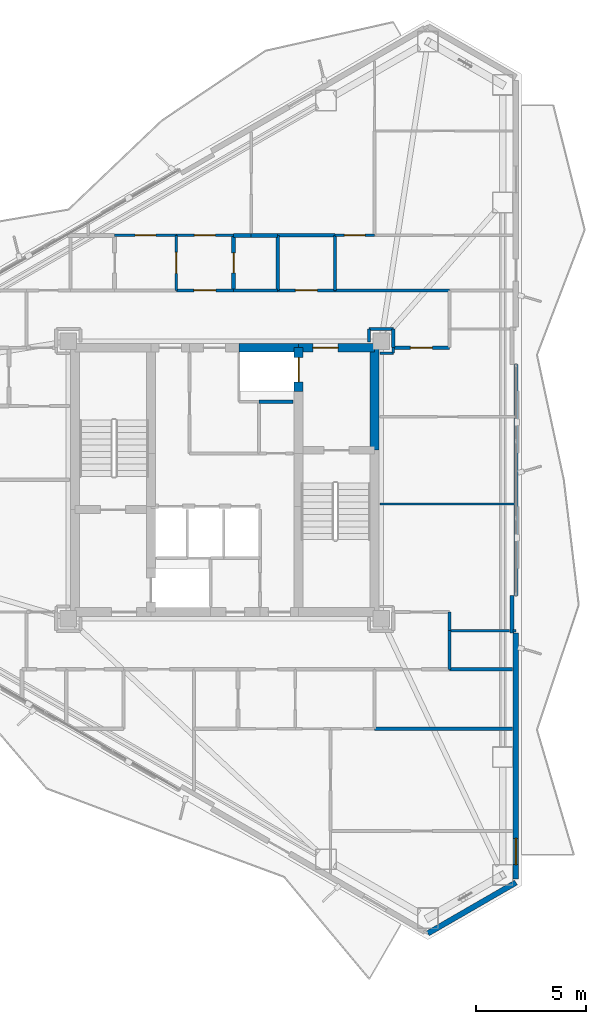
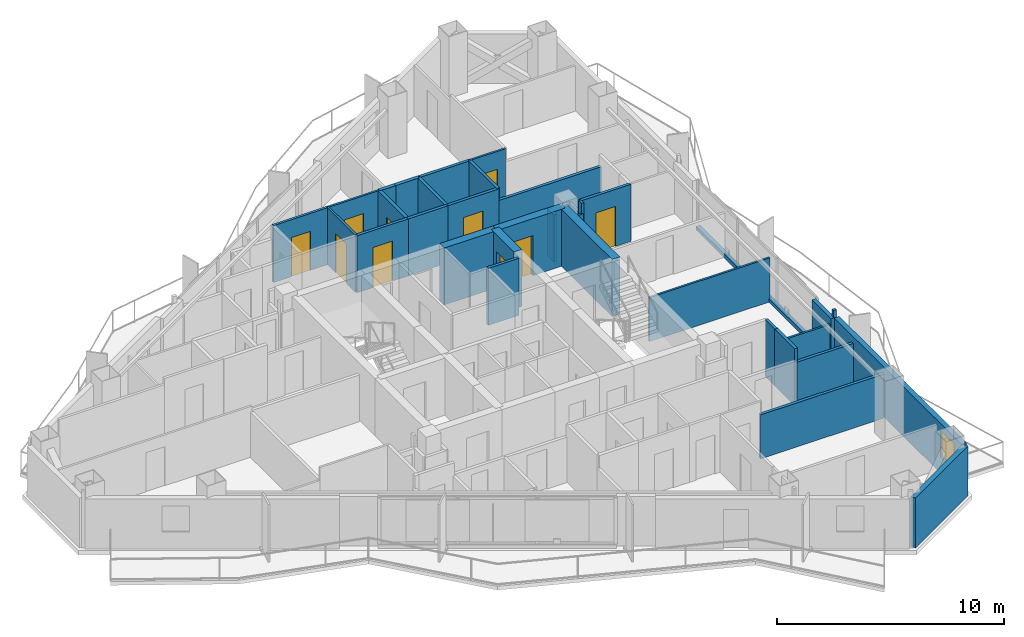
# One storey, part 15 of 18: 36 walls, 10 doors, 1 window, 11 openings.
"""IFC4 building model written with IfcOpenShell, lengths in metres."""

import ifcopenshell
import ifcopenshell.guid

model = None  # the IFC model being written
_history = None  # IfcOwnerHistory: only IFC2X3 demands one
_inside = {}  # id of a spatial element -> (the spatial element, [elements in it])
_under = {}  # id of a project, library or spatial element -> (it, [spatial elements below it])
_declared = {}  # id of a project -> (the project, [libraries it declares])
_typed = {}  # id of a type object -> (the type object, [elements of that type])
_made_of = {}  # id of a material, layer set ... -> (it, [elements and type objects made of it])


def new_model(schema):
    """Start an empty IFC model of exactly this schema.

    Asked for "IFC4X3", IfcOpenShell would pick the latest addendum, in which some entities
    have other attributes; the version numbers below select the first issue.
    IFC2X3 requires an IfcOwnerHistory on every rooted entity: one is made here for all.
    """
    global model, _history
    if schema == "IFC4X3":
        model = ifcopenshell.file(schema_version=(4, 3, 0, 0))
    else:
        model = ifcopenshell.file(schema=schema)
    _inside.clear()
    _under.clear()
    _declared.clear()
    _typed.clear()
    _made_of.clear()
    _history = None
    if model.schema == "IFC2X3":
        org = make("IfcOrganization", Name="unknown")
        user = make(
            "IfcPersonAndOrganization",
            ThePerson=make("IfcPerson", FamilyName="unknown"),
            TheOrganization=org,
        )
        app = make(
            "IfcApplication",
            ApplicationDeveloper=org,
            Version="unknown",
            ApplicationFullName="unknown",
            ApplicationIdentifier="unknown",
        )
        _history = make(
            "IfcOwnerHistory",
            OwningUser=user,
            OwningApplication=app,
            ChangeAction="ADDED",
            CreationDate=0,
        )
    return model


def make(cls, **values):
    """One entity of the class cls with the attributes given. An attribute that is None is left unset."""
    return model.create_entity(
        cls, **{name: value for name, value in values.items() if value is not None}
    )


def rooted(cls, **values):
    """An entity with a GlobalId (a new one), such as an element, a storey or a relation."""
    return make(cls, GlobalId=ifcopenshell.guid.new(), OwnerHistory=_history, **values)


def si_unit(unit_type, name, prefix=None):
    """IfcSIUnit, for example si_unit("LENGTHUNIT", "METRE", prefix="MILLI")."""
    return make("IfcSIUnit", UnitType=unit_type, Prefix=prefix, Name=name)


def assignment(units):
    """IfcUnitAssignment: the units of a project."""
    return None if units is None else make("IfcUnitAssignment", Units=units)


def point(xyz):
    """IfcCartesianPoint."""
    return None if xyz is None else make("IfcCartesianPoint", Coordinates=xyz)


def direction(xyz):
    """IfcDirection."""
    return None if xyz is None else make("IfcDirection", DirectionRatios=xyz)


def frame(location, z_axis=None, x_axis=None):
    """IfcAxis2Placement3D, a coordinate frame: its origin and axes. An axis left out is left unset."""
    return make(
        "IfcAxis2Placement3D",
        Location=point(location),
        Axis=direction(z_axis),
        RefDirection=direction(x_axis),
    )


def frame_2d(location, x_axis=None):
    """IfcAxis2Placement2D, a coordinate frame in the plane: its origin and x axis."""
    return make(
        "IfcAxis2Placement2D", Location=point(location), RefDirection=direction(x_axis)
    )


def origin():
    """The frame at (0, 0, 0) with its axes left unset."""
    return frame((0.0, 0.0, 0.0))


def place(relative_to, where):
    """IfcLocalPlacement: puts the frame where relative to a parent placement (None: the world)."""
    return make(
        "IfcLocalPlacement", PlacementRelTo=relative_to, RelativePlacement=where
    )


def context(
    kind, dimensions, precision=None, world=None, true_north=None, identifier=None
):
    """IfcGeometricRepresentationContext, for example the 3D "Model" context."""
    return make(
        "IfcGeometricRepresentationContext",
        ContextIdentifier=identifier,
        ContextType=kind,
        CoordinateSpaceDimension=dimensions,
        Precision=precision,
        WorldCoordinateSystem=world,
        TrueNorth=true_north,
    )


def subcontext(parent, identifier, kind, view, scale=None):
    """IfcGeometricRepresentationSubContext, for example "Body" below "Model"."""
    return make(
        "IfcGeometricRepresentationSubContext",
        ContextIdentifier=identifier,
        ContextType=kind,
        ParentContext=parent,
        TargetScale=scale,
        TargetView=view,
    )


def project(units=None, contexts=None):
    """IfcProject with its units and contexts."""
    return rooted(
        "IfcProject",
        Name="project",
        RepresentationContexts=contexts,
        UnitsInContext=assignment(units),
    )


def spatial(cls, under=None, at=None, **own):
    """A site, building, storey or space (cls), placed at a placement, below another one or the project."""
    s = rooted(cls, ObjectPlacement=at, **own)
    if under is not None:
        _under.setdefault(under.id(), (under, []))[1].append(s)
    return s


def profile(cls, at=None, kind="AREA", **sizes):
    """A parametric profile (cls). Its sizes go by their IFC names, for example OverallWidth=200.0."""
    return make(cls, ProfileType=kind, Position=at, **sizes)


def rectangle(**sizes):
    """IfcRectangleProfileDef."""
    return profile("IfcRectangleProfileDef", **sizes)


def extrude(swept, where, along, depth):
    """IfcExtrudedAreaSolid: the profile swept, set in the frame where, extruded along a direction by depth."""
    return make(
        "IfcExtrudedAreaSolid",
        SweptArea=swept,
        Position=where,
        ExtrudedDirection=direction(along),
        Depth=depth,
    )


def shape(context_of_items, identifier, shape_type, items):
    """IfcShapeRepresentation: the items that make up one representation, for example the "Body"."""
    return make(
        "IfcShapeRepresentation",
        ContextOfItems=context_of_items,
        RepresentationIdentifier=identifier,
        RepresentationType=shape_type,
        Items=items,
    )


def material(Name=None, Category=None):
    """IfcMaterial."""
    return make("IfcMaterial", Name=Name, Category=Category)


def layer(
    of_material, thickness, ventilated=None, Name=None, Category=None, Priority=None
):
    """IfcMaterialLayer: one layer of a wall or slab, of a material (None: an air gap)."""
    return make(
        "IfcMaterialLayer",
        Material=of_material,
        LayerThickness=thickness,
        IsVentilated=ventilated,
        Name=Name,
        Category=Category,
        Priority=Priority,
    )


def layer_set(layers, Name=None):
    """IfcMaterialLayerSet."""
    return make("IfcMaterialLayerSet", MaterialLayers=layers, LayerSetName=Name)


def made_of(thing, what):
    """Note that an element or type object is made of a material, layer set ...; save() writes the relation."""
    if what is not None:
        _made_of.setdefault(what.id(), (what, []))[1].append(thing)
    return thing


def type_object(cls, material=None, **own):
    """A type object (cls), such as IfcWallType, which elements share."""
    return made_of(rooted(cls, **own), material)


def element(
    cls,
    number,
    at=None,
    inside=None,
    cuts=None,
    type_object=None,
    material=None,
    context=None,
    identifier="Body",
    shape_type=None,
    held_by="IfcProductDefinitionShape",
    body=None,
    shapes=None,
    **own,
):
    """One element of the class cls, such as IfcWall. Its Tag is "e" and its number.

    at: its placement. inside: the storey or other place that contains it. cuts: it is an
    opening in that element (IfcRelVoidsElement). A single representation is given by context,
    identifier, shape_type and body (its items); several are given by shapes. held_by: the class
    of the entity that holds the representations. save() writes the other relations.
    """
    e = rooted(cls, Tag="e%d" % number, ObjectPlacement=at, **own)
    if body is not None:
        shapes = [shape(context, identifier, shape_type, body)]
    if shapes is not None:
        e.Representation = make(held_by, Representations=shapes)
    if inside is not None:
        _inside.setdefault(inside.id(), (inside, []))[1].append(e)
    if cuts is not None:
        rooted(
            "IfcRelVoidsElement", RelatingBuildingElement=cuts, RelatedOpeningElement=e
        )
    if type_object is not None:
        _typed.setdefault(type_object.id(), (type_object, []))[1].append(e)
    return made_of(e, material)


def fill(opening, filler):
    """IfcRelFillsElement: the door or window that sits in an opening."""
    return rooted(
        "IfcRelFillsElement",
        RelatingOpeningElement=opening,
        RelatedBuildingElement=filler,
    )


def aggregate(whole, parts):
    """IfcRelAggregates: a whole, such as a stair, and the parts it consists of."""
    return rooted("IfcRelAggregates", RelatingObject=whole, RelatedObjects=parts)


def save(model, path):
    """Write the relations noted so far, then the file.

    IfcRelAggregates (storeys below a building ...), IfcRelContainedInSpatialStructure (elements
    in a storey), IfcRelDefinesByType, IfcRelAssociatesMaterial and IfcRelDeclares: one each for
    every whole, place, type object, material and project.
    """
    for whole, parts in _under.values():
        aggregate(whole, parts)
    for where, things in _inside.values():
        rooted(
            "IfcRelContainedInSpatialStructure",
            RelatedElements=things,
            RelatingStructure=where,
        )
    for kind, things in _typed.values():
        rooted("IfcRelDefinesByType", RelatedObjects=things, RelatingType=kind)
    for what, things in _made_of.values():
        rooted("IfcRelAssociatesMaterial", RelatedObjects=things, RelatingMaterial=what)
    for by, libraries in _declared.values():
        rooted("IfcRelDeclares", RelatingContext=by, RelatedDefinitions=libraries)
    model.write(path)


model = new_model("IFC4")

# Units and contexts
model_context = context("Model", 3, precision=1e-05, world=origin(), true_north=direction((0.0, 1.0)))
body_context = subcontext(model_context, "Body", "Model", "MODEL_VIEW")
ifc_project = project(units=[si_unit("LENGTHUNIT", "METRE"), si_unit("AREAUNIT", "SQUARE_METRE"), si_unit("VOLUMEUNIT", "CUBIC_METRE"), si_unit("PLANEANGLEUNIT", "RADIAN"), si_unit("MASSUNIT", "GRAM", prefix="KILO")], contexts=[model_context])

# Site, building, storey
site_placement = place(None, origin())
site = spatial("IfcSite", under=ifc_project, at=site_placement, CompositionType="ELEMENT")
building_placement = place(site_placement, origin())
building = spatial("IfcBuilding", under=site, at=building_placement, Name="Mersakhor Tower and Convention Hall", CompositionType="ELEMENT")
storey_placement = place(building_placement, frame((0.0, 0.0, 134.39990234375)))
storey = spatial("IfcBuildingStorey", under=building, at=storey_placement, Name="L37", CompositionType="ELEMENT", Elevation=134.39990234375)

# Wall
ifc_material_1 = material(Name="Precast concrete C40/50", Category="concrete")
ifc_layer_1 = layer(ifc_material_1, 0.25)
ifc_layer_set_1 = layer_set([ifc_layer_1], Name="Precast concrete C40/50")
wall_type_1 = type_object("IfcWallType", Name="WL-EXT-250", PredefinedType="SOLIDWALL", material=ifc_layer_set_1)
wall_1_placement = place(storey_placement, frame((42.21923828125, 8.470947265625, 0.0), z_axis=(0.0, 0.0, 1.0), x_axis=(-0.866035021055, -0.499983342029, 0.0)))
element("IfcWall", 1, at=wall_1_placement, inside=storey, type_object=wall_type_1, Name="L37 Chamfer Braced Spandrel Wall C2", PredefinedType="SOLIDWALL", context=body_context, shape_type="SweptSolid", body=[
    extrude(rectangle(XDim=4.617431640625, YDim=0.25, at=frame_2d((2.30859375, 0.0))), origin(), (0.0, 0.0, 1.0), 2.68017578125),
])

# Wall, opening, window
wall_2_placement = place(storey_placement, frame((42.21923828125, 19.806884765625, 0.0), z_axis=(0.0, 0.0, 1.0), x_axis=(0.0, -1.0, 0.0)))
wall_2 = element("IfcWall", 2, at=wall_2_placement, inside=storey, type_object=wall_type_1, Name="L37 Exterior Facade Wall F2-B3", PredefinedType="SOLIDWALL", context=body_context, shape_type="SweptSolid", body=[
    extrude(rectangle(XDim=11.185791015625, YDim=0.25, at=frame_2d((5.5927734375, 0.0))), origin(), (0.0, 0.0, 1.0), 2.68017578125),
])
opening_1_placement = place(wall_2_placement, frame((9.326904296875, 0.0, 0.89990234375)))
opening_1 = element("IfcOpeningElement", 3, at=opening_1_placement, cuts=wall_2, Name="Opening W-01", PredefinedType="OPENING", context=body_context, shape_type="SweptSolid", body=[
    extrude(rectangle(XDim=1.199951171875, YDim=1.39990234375, at=frame_2d((0.60009765625, 0.699951171875))), frame((0.0, 0.135009765625, 0.0), z_axis=(0.0, -1.0, 0.0), x_axis=(1.0, 0.0, 0.0)), (0.0, 0.0, 1.0), 0.27001953125),
])
ifc_material_2 = material(Name="Dark solar low-E glazed aluminium window", Category="aluminium")
window_type = type_object("IfcWindowType", Name="WN-RES-120x150", PartitioningType="SINGLE_PANEL", PredefinedType="WINDOW", material=ifc_material_2)
window_placement = place(opening_1_placement, origin())
window = element("IfcWindow", 4, at=window_placement, inside=storey, type_object=window_type, Name="L37 Bedroom Facade Window F2-B3-1", OverallHeight=1.39990234375, OverallWidth=1.199951171875, PartitioningType="SINGLE_PANEL", PredefinedType="WINDOW", context=body_context, shape_type="SweptSolid", body=[
    extrude(rectangle(XDim=1.199951171875, YDim=1.39990234375, at=frame_2d((0.60009765625, 0.699951171875))), frame((0.0, 0.030029296875, 0.0), z_axis=(0.0, -1.0, 0.0), x_axis=(1.0, 0.0, 0.0)), (0.0, 0.0, 1.0), 0.06005859375),
])
fill(opening_1, window)

# Walls
ifc_material_3 = material(Name="Precast concrete C40/50", Category="concrete")
ifc_layer_2 = layer(ifc_material_3, 0.199951171875)
ifc_layer_set_2 = layer_set([ifc_layer_2], Name="Precast concrete C40/50")
wall_type_2 = type_object("IfcWallType", Name="WL-PAR-200", PredefinedType="PARAPET", material=ifc_layer_set_2)
wall_3_placement = place(storey_placement, frame((42.21923828125, 31.992919921875, 0.0), z_axis=(0.0, 0.0, 1.0), x_axis=(0.0, -1.0, 0.0)))
element("IfcWall", 5, at=wall_3_placement, inside=storey, type_object=wall_type_2, Name="L37 Curtain Wall Upstand Sill F2-B2", PredefinedType="PARAPET", context=body_context, shape_type="SweptSolid", body=[
    extrude(rectangle(XDim=10.48583984375, YDim=0.199951171875, at=frame_2d((5.242919921875, 0.0))), origin(), (0.0, 0.0, 1.0), 0.2001953125),
])
wall_4_placement = place(storey_placement, frame((42.039306640625, 21.507080078125, 0.0), z_axis=(0.0, 0.0, 1.0), x_axis=(0.0, -1.0, 0.0)))
element("IfcWall", 6, at=wall_4_placement, inside=storey, type_object=wall_type_2, Name="L37 Column Pier Cladding Wall F2-C2", PredefinedType="PARAPET", context=body_context, shape_type="SweptSolid", body=[
    extrude(rectangle(XDim=1.7001953125, YDim=0.199951171875, at=frame_2d((0.85009765625, 0.0))), origin(), (0.0, 0.0, 1.0), 2.68017578125),
])

# Wall, opening, door
ifc_material_4 = material(Name="Moisture-resistant acoustic drywall studwork", Category="other")
ifc_layer_3 = layer(ifc_material_4, 0.175048828125)
ifc_layer_set_3 = layer_set([ifc_layer_3], Name="Moisture-resistant acoustic drywall studwork")
wall_type_3 = type_object("IfcWallType", Name="WL-PLM-175", PredefinedType="PLUMBINGWALL", material=ifc_layer_set_3)
wall_5_placement = place(storey_placement, frame((29.39990234375, 37.85009765625, 0.0), z_axis=(0.0, 0.0, 1.0), x_axis=(0.0, -1.0, 0.0)))
wall_5 = element("IfcWall", 7, at=wall_5_placement, inside=storey, type_object=wall_type_3, Name="L37 Interior Partition Wall P-053", PredefinedType="PLUMBINGWALL", context=body_context, shape_type="SweptSolid", body=[
    extrude(rectangle(XDim=2.5, YDim=0.175048828125, at=frame_2d((1.25, 0.0))), origin(), (0.0, 0.0, 1.0), 3.06005859375),
])
opening_2_placement = place(wall_5_placement, frame((0.800048828125, 0.0, 0.0)))
opening_2 = element("IfcOpeningElement", 8, at=opening_2_placement, cuts=wall_5, Name="Opening WD-01", PredefinedType="OPENING", context=body_context, shape_type="SweptSolid", body=[
    extrude(rectangle(XDim=0.89990234375, YDim=2.10009765625, at=frame_2d((0.449951171875, 1.050048828125))), frame((0.0, 0.097412109375, 0.0), z_axis=(0.0, -1.0, 0.0), x_axis=(1.0, 0.0, 0.0)), (0.0, 0.0, 1.0), 0.195068359375),
])
ifc_material_5 = material(Name="Solid-core hardwood leaf in painted steel frame", Category="steel")
door_type_1 = type_object("IfcDoorType", Name="DR-INT-WET-090x210", OperationType="NOTDEFINED", PredefinedType="DOOR", material=ifc_material_5)
door_1_placement = place(opening_2_placement, origin())
door_1 = element("IfcDoor", 9, at=door_1_placement, inside=storey, type_object=door_type_1, Name="L37 L37 Flat N1 Apartment Hall to L37 Flat N1 En-Suite Shower Room Door", OperationType="SINGLE_SWING_RIGHT", OverallHeight=2.10009765625, OverallWidth=0.89990234375, PredefinedType="DOOR", context=body_context, shape_type="SweptSolid", body=[
    extrude(rectangle(XDim=0.89990234375, YDim=2.10009765625, at=frame_2d((0.449951171875, 1.050048828125))), frame((0.0, 0.02490234375, 0.0), z_axis=(0.0, -1.0, 0.0), x_axis=(1.0, 0.0, 0.0)), (0.0, 0.0, 1.0), 0.050048828125),
])
fill(opening_2, door_1)

# Walls
wall_6_placement = place(storey_placement, frame((29.39990234375, 37.85009765625, 0.0), z_axis=(0.0, 0.0, 1.0), x_axis=(1.0, 0.0, 0.0)))
element("IfcWall", 10, at=wall_6_placement, inside=storey, type_object=wall_type_3, Name="L37 Interior Partition Wall P-068", PredefinedType="PLUMBINGWALL", context=body_context, shape_type="SweptSolid", body=[
    extrude(rectangle(XDim=0.800048828125, YDim=0.175048828125, at=frame_2d((0.39990234375, 0.0))), origin(), (0.0, 0.0, 1.0), 3.06005859375),
])
wall_7_placement = place(storey_placement, frame((30.199951171875, 37.85009765625, 0.0), z_axis=(0.0, 0.0, 1.0), x_axis=(1.0, 0.0, 0.0)))
element("IfcWall", 11, at=wall_7_placement, inside=storey, type_object=wall_type_3, Name="L37 Interior Partition Wall P-069", PredefinedType="PLUMBINGWALL", context=body_context, shape_type="SweptSolid", body=[
    extrude(rectangle(XDim=1.199951171875, YDim=0.175048828125, at=frame_2d((0.60009765625, 0.0))), origin(), (0.0, 0.0, 1.0), 3.06005859375),
])

# Wall, opening, door
ifc_material_6 = material(Name="Lightweight gypsum partition", Category="other")
ifc_layer_4 = layer(ifc_material_6, 0.10009765625)
ifc_layer_set_4 = layer_set([ifc_layer_4], Name="Lightweight gypsum partition")
wall_type_4 = type_object("IfcWallType", Name="WL-PRT-100", PredefinedType="PARTITIONING", material=ifc_layer_set_4)
wall_8_placement = place(storey_placement, frame((26.800048828125, 37.85009765625, 0.0), z_axis=(0.0, 0.0, 1.0), x_axis=(1.0, 0.0, 0.0)))
wall_8 = element("IfcWall", 12, at=wall_8_placement, inside=storey, type_object=wall_type_4, Name="L37 Interior Partition Wall P-052", PredefinedType="PARTITIONING", context=body_context, shape_type="SweptSolid", body=[
    extrude(rectangle(XDim=2.599853515625, YDim=0.10009765625, at=frame_2d((1.2998046875, 0.0))), origin(), (0.0, 0.0, 1.0), 3.06005859375),
])
opening_3_placement = place(wall_8_placement, frame((0.824951171875, 0.0, 0.0)))
opening_3 = element("IfcOpeningElement", 13, at=opening_3_placement, cuts=wall_8, Name="Opening RD-01", PredefinedType="OPENING", context=body_context, shape_type="SweptSolid", body=[
    extrude(rectangle(XDim=0.949951171875, YDim=2.10009765625, at=frame_2d((0.47509765625, 1.050048828125))), frame((0.0, 0.06005859375, 0.0), z_axis=(0.0, -1.0, 0.0), x_axis=(1.0, 0.0, 0.0)), (0.0, 0.0, 1.0), 0.1201171875),
])
ifc_material_7 = material(Name="Solid-core hardwood leaf in painted steel frame", Category="steel")
door_type_2 = type_object("IfcDoorType", Name="DR-INT-RM-095x210", OperationType="NOTDEFINED", PredefinedType="DOOR", material=ifc_material_7)
door_2_placement = place(opening_3_placement, origin())
door_2 = element("IfcDoor", 14, at=door_2_placement, inside=storey, type_object=door_type_2, Name="L37 L37 Flat N1 Apartment Hall to L37 Flat N1 Living and Dining Room Door", OperationType="SINGLE_SWING_LEFT", OverallHeight=2.10009765625, OverallWidth=0.949951171875, PredefinedType="DOOR", context=body_context, shape_type="SweptSolid", body=[
    extrude(rectangle(XDim=0.949951171875, YDim=2.10009765625, at=frame_2d((0.47509765625, 1.050048828125))), frame((0.0, 0.02490234375, 0.0), z_axis=(0.0, -1.0, 0.0), x_axis=(1.0, 0.0, 0.0)), (0.0, 0.0, 1.0), 0.050048828125),
])
fill(opening_3, door_2)

wall_9_placement = place(storey_placement, frame((26.800048828125, 35.35009765625, 0.0), z_axis=(0.0, 0.0, 1.0), x_axis=(0.0, 1.0, 0.0)))
wall_9 = element("IfcWall", 15, at=wall_9_placement, inside=storey, type_object=wall_type_4, Name="L37 Interior Partition Wall P-054", PredefinedType="PARTITIONING", context=body_context, shape_type="SweptSolid", body=[
    extrude(rectangle(XDim=2.5, YDim=0.10009765625, at=frame_2d((1.25, 0.0))), origin(), (0.0, 0.0, 1.0), 3.06005859375),
])
opening_4_placement = place(wall_9_placement, frame((0.77490234375, 0.0, 0.0)))
opening_4 = element("IfcOpeningElement", 16, at=opening_4_placement, cuts=wall_9, Name="Opening RD-01", PredefinedType="OPENING", context=body_context, shape_type="SweptSolid", body=[
    extrude(rectangle(XDim=0.949951171875, YDim=2.10009765625, at=frame_2d((0.47509765625, 1.050048828125))), frame((0.0, 0.06005859375, 0.0), z_axis=(0.0, -1.0, 0.0), x_axis=(1.0, 0.0, 0.0)), (0.0, 0.0, 1.0), 0.1201171875),
])
door_3_placement = place(opening_4_placement, origin())
door_3 = element("IfcDoor", 17, at=door_3_placement, inside=storey, type_object=door_type_2, Name="L37 L37 Flat N1 Apartment Hall to L37 Flat N1 Kitchen Door", OperationType="SINGLE_SWING_LEFT", OverallHeight=2.10009765625, OverallWidth=0.949951171875, PredefinedType="DOOR", context=body_context, shape_type="SweptSolid", body=[
    extrude(rectangle(XDim=0.949951171875, YDim=2.10009765625, at=frame_2d((0.47509765625, 1.050048828125))), frame((0.0, 0.02490234375, 0.0), z_axis=(0.0, -1.0, 0.0), x_axis=(1.0, 0.0, 0.0)), (0.0, 0.0, 1.0), 0.050048828125),
])
fill(opening_4, door_3)

# Walls
wall_10_placement = place(storey_placement, frame((42.18115234375, 25.64990234375, 0.0), z_axis=(0.0, 0.0, 1.0), x_axis=(-1.0, 0.0, 0.0)))
element("IfcWall", 18, at=wall_10_placement, inside=storey, type_object=wall_type_4, Name="L37 Interior Partition Wall P-098", PredefinedType="PARTITIONING", context=body_context, shape_type="SweptSolid", body=[
    extrude(rectangle(XDim=6.131103515625, YDim=0.10009765625, at=frame_2d((3.0654296875, 0.0))), origin(), (0.0, 0.0, 1.0), 2.364990234375),
])
wall_11_placement = place(storey_placement, frame((36.050048828125, 32.5, 0.0), z_axis=(0.0, 0.0, 1.0), x_axis=(1.0, 0.0, 0.0)))
element("IfcWall", 19, at=wall_11_placement, inside=storey, type_object=wall_type_4, Name="L37 Interior Partition Wall P-102", PredefinedType="PARTITIONING", context=body_context, shape_type="SweptSolid", body=[
    extrude(rectangle(XDim=0.599853515625, YDim=0.10009765625, at=frame_2d((0.2998046875, 0.0))), origin(), (0.0, 0.0, 1.0), 2.50830078125),
])
wall_12_placement = place(storey_placement, frame((41.915283203125, 19.89990234375, 0.0), z_axis=(0.0, 0.0, 1.0), x_axis=(-1.0, 0.0, 0.0)))
element("IfcWall", 20, at=wall_12_placement, inside=storey, type_object=wall_type_4, Name="L37 Interior Partition Wall P-106", PredefinedType="PARTITIONING", context=body_context, shape_type="SweptSolid", body=[
    extrude(rectangle(XDim=2.71533203125, YDim=0.10009765625, at=frame_2d((1.357666015625, 0.0))), origin(), (0.0, 0.0, 1.0), 2.364990234375),
])

# Wall, opening, door
wall_13_placement = place(storey_placement, frame((34.0, 37.85009765625, 0.0), z_axis=(0.0, 0.0, 1.0), x_axis=(1.0, 0.0, 0.0)))
wall_13 = element("IfcWall", 21, at=wall_13_placement, inside=storey, type_object=wall_type_4, Name="L37 Interior Partition Wall P-108", PredefinedType="PARTITIONING", context=body_context, shape_type="SweptSolid", body=[
    extrude(rectangle(XDim=1.800048828125, YDim=0.10009765625, at=frame_2d((0.89990234375, 0.0))), origin(), (0.0, 0.0, 1.0), 3.06005859375),
])
opening_5_placement = place(wall_13_placement, frame((0.425048828125, 0.0, 0.0)))
opening_5 = element("IfcOpeningElement", 22, at=opening_5_placement, cuts=wall_13, Name="Opening RD-01", PredefinedType="OPENING", context=body_context, shape_type="SweptSolid", body=[
    extrude(rectangle(XDim=0.949951171875, YDim=2.10009765625, at=frame_2d((0.47509765625, 1.050048828125))), frame((0.0, 0.06005859375, 0.0), z_axis=(0.0, -1.0, 0.0), x_axis=(1.0, 0.0, 0.0)), (0.0, 0.0, 1.0), 0.1201171875),
])
door_4_placement = place(opening_5_placement, origin())
door_4 = element("IfcDoor", 23, at=door_4_placement, inside=storey, type_object=door_type_2, Name="L37 L37 Flat N1 Study Room to L37 Flat N1 Master Bedroom Door", OperationType="SINGLE_SWING_LEFT", OverallHeight=2.10009765625, OverallWidth=0.949951171875, PredefinedType="DOOR", context=body_context, shape_type="SweptSolid", body=[
    extrude(rectangle(XDim=0.949951171875, YDim=2.10009765625, at=frame_2d((0.47509765625, 1.050048828125))), frame((0.0, 0.02490234375, 0.0), z_axis=(0.0, -1.0, 0.0), x_axis=(1.0, 0.0, 0.0)), (0.0, 0.0, 1.0), 0.050048828125),
])
fill(opening_5, door_4)

ifc_material_8 = material(Name="Gypsum board acoustic partition", Category="other")
ifc_layer_5 = layer(ifc_material_8, 0.125)
ifc_layer_set_5 = layer_set([ifc_layer_5], Name="Gypsum board acoustic partition")
wall_type_5 = type_object("IfcWallType", Name="WL-PRT-125", PredefinedType="PARTITIONING", material=ifc_layer_set_5)
wall_14_placement = place(storey_placement, frame((24.0, 37.85009765625, 0.0), z_axis=(0.0, 0.0, 1.0), x_axis=(1.0, 0.0, 0.0)))
wall_14 = element("IfcWall", 24, at=wall_14_placement, inside=storey, type_object=wall_type_5, Name="L37 Interior Partition Wall P-063", PredefinedType="PARTITIONING", context=body_context, shape_type="SweptSolid", body=[
    extrude(rectangle(XDim=2.800048828125, YDim=0.125, at=frame_2d((1.39990234375, 0.0))), origin(), (0.0, 0.0, 1.0), 3.06005859375),
])
opening_6_placement = place(wall_14_placement, frame((0.925048828125, 0.0, 0.0)))
opening_6 = element("IfcOpeningElement", 25, at=opening_6_placement, cuts=wall_14, Name="Opening RD-01", PredefinedType="OPENING", context=body_context, shape_type="SweptSolid", body=[
    extrude(rectangle(XDim=0.949951171875, YDim=2.10009765625, at=frame_2d((0.47509765625, 1.050048828125))), frame((0.0, 0.072509765625, 0.0), z_axis=(0.0, -1.0, 0.0), x_axis=(1.0, 0.0, 0.0)), (0.0, 0.0, 1.0), 0.14501953125),
])
door_5_placement = place(opening_6_placement, origin())
door_5 = element("IfcDoor", 26, at=door_5_placement, inside=storey, type_object=door_type_2, Name="L37 L37 Flat N1 Kitchen to L37 Flat N1 Living and Dining Room Door", OperationType="SINGLE_SWING_LEFT", OverallHeight=2.10009765625, OverallWidth=0.949951171875, PredefinedType="DOOR", context=body_context, shape_type="SweptSolid", body=[
    extrude(rectangle(XDim=0.949951171875, YDim=2.10009765625, at=frame_2d((0.47509765625, 1.050048828125))), frame((0.0, 0.02490234375, 0.0), z_axis=(0.0, -1.0, 0.0), x_axis=(1.0, 0.0, 0.0)), (0.0, 0.0, 1.0), 0.050048828125),
])
fill(opening_6, door_5)

# Walls
wall_15_placement = place(storey_placement, frame((36.64990234375, 32.5, 0.0), z_axis=(0.0, 0.0, 1.0), x_axis=(0.0, 1.0, 0.0)))
element("IfcWall", 27, at=wall_15_placement, inside=storey, type_object=wall_type_5, Name="L37 Interior Partition Wall P-099", PredefinedType="PARTITIONING", context=body_context, shape_type="SweptSolid", body=[
    extrude(rectangle(XDim=0.25, YDim=0.125, at=frame_2d((0.125, 0.0))), origin(), (0.0, 0.0, 1.0), 3.06005859375),
])
wall_16_placement = place(storey_placement, frame((42.218994140625, 19.89990234375, 0.0), z_axis=(0.0, 0.0, 1.0), x_axis=(-1.0, 0.0, 0.0)))
element("IfcWall", 28, at=wall_16_placement, inside=storey, type_object=wall_type_5, Name="L37 Interior Partition Wall P-105", PredefinedType="PARTITIONING", context=body_context, shape_type="SweptSolid", body=[
    extrude(rectangle(XDim=0.144775390625, YDim=0.125, at=frame_2d((0.072265625, 0.0))), origin(), (0.0, 0.0, 1.0), 3.06005859375),
])
ifc_material_9 = material(Name="Fire-rated gypsum board stud partition", Category="other")
ifc_layer_6 = layer(ifc_material_9, 0.14990234375)
ifc_layer_set_6 = layer_set([ifc_layer_6], Name="Fire-rated gypsum board stud partition")
wall_type_6 = type_object("IfcWallType", Name="WL-PRT-150", PredefinedType="PARTITIONING", material=ifc_layer_set_6)
wall_17_placement = place(storey_placement, frame((32.10009765625, 30.300048828125, 0.0), z_axis=(0.0, 0.0, 1.0), x_axis=(-1.0, 0.0, 0.0)))
element("IfcWall", 29, at=wall_17_placement, inside=storey, type_object=wall_type_6, Name="L37 Interior Partition Wall P-004", PredefinedType="PARTITIONING", context=body_context, shape_type="SweptSolid", body=[
    extrude(rectangle(XDim=1.550048828125, YDim=0.14990234375, at=frame_2d((0.77490234375, 0.0))), origin(), (0.0, 0.0, 1.0), 3.06005859375),
])
wall_18_placement = place(storey_placement, frame((35.550048828125, 33.60009765625, 0.0), z_axis=(0.0, 0.0, 1.0), x_axis=(0.0, -1.0, 0.0)))
element("IfcWall", 30, at=wall_18_placement, inside=storey, type_object=wall_type_6, Name="L37 Interior Partition Wall P-016", PredefinedType="PARTITIONING", context=body_context, shape_type="SweptSolid", body=[
    extrude(rectangle(XDim=0.60009765625, YDim=0.14990234375, at=frame_2d((0.300048828125, 0.0))), origin(), (0.0, 0.0, 1.0), 2.50830078125),
])

# Wall, opening, door
wall_19_placement = place(storey_placement, frame((26.800048828125, 35.35009765625, 0.0), z_axis=(0.0, 0.0, 1.0), x_axis=(1.0, 0.0, 0.0)))
wall_19 = element("IfcWall", 31, at=wall_19_placement, inside=storey, type_object=wall_type_6, Name="L37 Interior Partition Wall P-025", PredefinedType="PARTITIONING", context=body_context, shape_type="SweptSolid", body=[
    extrude(rectangle(XDim=2.599853515625, YDim=0.14990234375, at=frame_2d((1.2998046875, 0.0))), origin(), (0.0, 0.0, 1.0), 3.06005859375),
])
opening_7_placement = place(wall_19_placement, frame((0.800048828125, 0.0, 0.0)))
opening_7 = element("IfcOpeningElement", 32, at=opening_7_placement, cuts=wall_19, Name="Opening FD-01", PredefinedType="OPENING", context=body_context, shape_type="SweptSolid", body=[
    extrude(rectangle(XDim=1.0, YDim=2.14990234375, at=frame_2d((0.5, 1.074951171875))), frame((0.0, 0.0849609375, 0.0), z_axis=(0.0, -1.0, 0.0), x_axis=(1.0, 0.0, 0.0)), (0.0, 0.0, 1.0), 0.169921875),
])
ifc_material_10 = material(Name="Fire-rated hardwood leaf and painted steel frame", Category="steel")
door_type_3 = type_object("IfcDoorType", Name="DR-INT-FLT-100x215", OperationType="NOTDEFINED", PredefinedType="DOOR", material=ifc_material_10)
door_6_placement = place(opening_7_placement, origin())
door_6 = element("IfcDoor", 33, at=door_6_placement, inside=storey, type_object=door_type_3, Name="L37 Apartment Entrance Door (Residential North Gallery Corridor to L37 Flat N1 Apartment Hall)", OperationType="SINGLE_SWING_LEFT", OverallHeight=2.14990234375, OverallWidth=1.0, PredefinedType="DOOR", context=body_context, shape_type="SweptSolid", body=[
    extrude(rectangle(XDim=1.0, YDim=2.14990234375, at=frame_2d((0.5, 1.074951171875))), frame((0.0, 0.02490234375, 0.0), z_axis=(0.0, -1.0, 0.0), x_axis=(1.0, 0.0, 0.0)), (0.0, 0.0, 1.0), 0.050048828125),
])
fill(opening_7, door_6)

# Wall
wall_20_placement = place(storey_placement, frame((29.39990234375, 35.35009765625, 0.0), z_axis=(0.0, 0.0, 1.0), x_axis=(1.0, 0.0, 0.0)))
element("IfcWall", 34, at=wall_20_placement, inside=storey, type_object=wall_type_6, Name="L37 Interior Partition Wall P-026", PredefinedType="PARTITIONING", context=body_context, shape_type="SweptSolid", body=[
    extrude(rectangle(XDim=2.0, YDim=0.14990234375, at=frame_2d((1.0, 0.0))), origin(), (0.0, 0.0, 1.0), 3.06005859375),
])

# Wall, opening, door
wall_21_placement = place(storey_placement, frame((31.39990234375, 35.35009765625, 0.0), z_axis=(0.0, 0.0, 1.0), x_axis=(1.0, 0.0, 0.0)))
wall_21 = element("IfcWall", 35, at=wall_21_placement, inside=storey, type_object=wall_type_6, Name="L37 Interior Partition Wall P-027", PredefinedType="PARTITIONING", context=body_context, shape_type="SweptSolid", body=[
    extrude(rectangle(XDim=2.60009765625, YDim=0.14990234375, at=frame_2d((1.300048828125, 0.0))), origin(), (0.0, 0.0, 1.0), 3.06005859375),
])
opening_8_placement = place(wall_21_placement, frame((0.800048828125, 0.0, 0.0)))
opening_8 = element("IfcOpeningElement", 36, at=opening_8_placement, cuts=wall_21, Name="Opening FD-01", PredefinedType="OPENING", context=body_context, shape_type="SweptSolid", body=[
    extrude(rectangle(XDim=1.0, YDim=2.14990234375, at=frame_2d((0.5, 1.074951171875))), frame((0.0, 0.0849609375, 0.0), z_axis=(0.0, -1.0, 0.0), x_axis=(1.0, 0.0, 0.0)), (0.0, 0.0, 1.0), 0.169921875),
])
door_7_placement = place(opening_8_placement, origin())
door_7 = element("IfcDoor", 37, at=door_7_placement, inside=storey, type_object=door_type_3, Name="L37 Residential North Gallery Corridor to L37 North Wing Shared Laundry Room Door", OperationType="SINGLE_SWING_RIGHT", OverallHeight=2.14990234375, OverallWidth=1.0, PredefinedType="DOOR", context=body_context, shape_type="SweptSolid", body=[
    extrude(rectangle(XDim=1.0, YDim=2.14990234375, at=frame_2d((0.5, 1.074951171875))), frame((0.0, 0.02490234375, 0.0), z_axis=(0.0, -1.0, 0.0), x_axis=(1.0, 0.0, 0.0)), (0.0, 0.0, 1.0), 0.050048828125),
])
fill(opening_8, door_7)

# Wall
wall_22_placement = place(storey_placement, frame((34.0, 35.35009765625, 0.0), z_axis=(0.0, 0.0, 1.0), x_axis=(1.0, 0.0, 0.0)))
element("IfcWall", 38, at=wall_22_placement, inside=storey, type_object=wall_type_6, Name="L37 Interior Partition Wall P-028", PredefinedType="PARTITIONING", context=body_context, shape_type="SweptSolid", body=[
    extrude(rectangle(XDim=5.199951171875, YDim=0.14990234375, at=frame_2d((2.60009765625, 0.0))), origin(), (0.0, 0.0, 1.0), 2.432861328125),
])

# Wall, opening, door
wall_23_placement = place(storey_placement, frame((39.199951171875, 32.75, 0.0), z_axis=(0.0, 0.0, 1.0), x_axis=(-1.0, 0.0, 0.0)))
wall_23 = element("IfcWall", 39, at=wall_23_placement, inside=storey, type_object=wall_type_6, Name="L37 Interior Partition Wall P-031", PredefinedType="PARTITIONING", context=body_context, shape_type="SweptSolid", body=[
    extrude(rectangle(XDim=2.550048828125, YDim=0.14990234375, at=frame_2d((1.27490234375, 0.0))), origin(), (0.0, 0.0, 1.0), 3.06005859375),
])
opening_9_placement = place(wall_23_placement, frame((0.77490234375, 0.0, 0.0)))
opening_9 = element("IfcOpeningElement", 40, at=opening_9_placement, cuts=wall_23, Name="Opening FD-01", PredefinedType="OPENING", context=body_context, shape_type="SweptSolid", body=[
    extrude(rectangle(XDim=1.0, YDim=2.14990234375, at=frame_2d((0.5, 1.074951171875))), frame((0.0, 0.0849609375, 0.0), z_axis=(0.0, -1.0, 0.0), x_axis=(1.0, 0.0, 0.0)), (0.0, 0.0, 1.0), 0.169921875),
])
door_8_placement = place(opening_9_placement, origin())
door_8 = element("IfcDoor", 41, at=door_8_placement, inside=storey, type_object=door_type_3, Name="L37 Residential North Gallery Corridor to L37 East Wing Sky Study Room Annex Door", OperationType="SINGLE_SWING_RIGHT", OverallHeight=2.14990234375, OverallWidth=1.0, PredefinedType="DOOR", context=body_context, shape_type="SweptSolid", body=[
    extrude(rectangle(XDim=1.0, YDim=2.14990234375, at=frame_2d((0.5, 1.074951171875))), frame((0.0, 0.02490234375, 0.0), z_axis=(0.0, -1.0, 0.0), x_axis=(1.0, 0.0, 0.0)), (0.0, 0.0, 1.0), 0.050048828125),
])
fill(opening_9, door_8)

# Walls
wall_24_placement = place(storey_placement, frame((36.64990234375, 32.75, 0.0), z_axis=(0.0, 0.0, 1.0), x_axis=(0.0, 1.0, 0.0)))
element("IfcWall", 42, at=wall_24_placement, inside=storey, type_object=wall_type_6, Name="L37 Interior Partition Wall P-032", PredefinedType="PARTITIONING", context=body_context, shape_type="SweptSolid", body=[
    extrude(rectangle(XDim=0.85009765625, YDim=0.14990234375, at=frame_2d((0.425048828125, 0.0))), origin(), (0.0, 0.0, 1.0), 2.432861328125),
])
wall_25_placement = place(storey_placement, frame((36.64990234375, 33.60009765625, 0.0), z_axis=(0.0, 0.0, 1.0), x_axis=(-1.0, 0.0, 0.0)))
element("IfcWall", 43, at=wall_25_placement, inside=storey, type_object=wall_type_6, Name="L37 Interior Partition Wall P-033", PredefinedType="PARTITIONING", context=body_context, shape_type="SweptSolid", body=[
    extrude(rectangle(XDim=1.099853515625, YDim=0.14990234375, at=frame_2d((0.5498046875, 0.0))), origin(), (0.0, 0.0, 1.0), 2.432861328125),
])
wall_26_placement = place(storey_placement, frame((39.199951171875, 20.75, 0.0), z_axis=(0.0, 0.0, 1.0), x_axis=(0.0, -1.0, 0.0)))
element("IfcWall", 44, at=wall_26_placement, inside=storey, type_object=wall_type_6, Name="L37 Interior Partition Wall P-039", PredefinedType="PARTITIONING", context=body_context, shape_type="SweptSolid", body=[
    extrude(rectangle(XDim=0.85009765625, YDim=0.14990234375, at=frame_2d((0.425048828125, 0.0))), origin(), (0.0, 0.0, 1.0), 3.06005859375),
])
wall_27_placement = place(storey_placement, frame((39.199951171875, 19.89990234375, 0.0), z_axis=(0.0, 0.0, 1.0), x_axis=(0.0, -1.0, 0.0)))
element("IfcWall", 45, at=wall_27_placement, inside=storey, type_object=wall_type_6, Name="L37 Interior Partition Wall P-040", PredefinedType="PARTITIONING", context=body_context, shape_type="SweptSolid", body=[
    extrude(rectangle(XDim=1.75, YDim=0.14990234375, at=frame_2d((0.875, 0.0))), origin(), (0.0, 0.0, 1.0), 3.06005859375),
])
wall_28_placement = place(storey_placement, frame((31.39990234375, 37.85009765625, 0.0), z_axis=(0.0, 0.0, 1.0), x_axis=(0.0, -1.0, 0.0)))
element("IfcWall", 46, at=wall_28_placement, inside=storey, type_object=wall_type_6, Name="L37 Interior Partition Wall P-070", PredefinedType="PARTITIONING", context=body_context, shape_type="SweptSolid", body=[
    extrude(rectangle(XDim=2.5, YDim=0.14990234375, at=frame_2d((1.25, 0.0))), origin(), (0.0, 0.0, 1.0), 3.06005859375),
])
wall_29_placement = place(storey_placement, frame((31.39990234375, 37.85009765625, 0.0), z_axis=(0.0, 0.0, 1.0), x_axis=(1.0, 0.0, 0.0)))
element("IfcWall", 47, at=wall_29_placement, inside=storey, type_object=wall_type_6, Name="L37 Interior Partition Wall P-086", PredefinedType="PARTITIONING", context=body_context, shape_type="SweptSolid", body=[
    extrude(rectangle(XDim=2.60009765625, YDim=0.14990234375, at=frame_2d((1.300048828125, 0.0))), origin(), (0.0, 0.0, 1.0), 3.06005859375),
])
wall_30_placement = place(storey_placement, frame((34.0, 37.85009765625, 0.0), z_axis=(0.0, 0.0, 1.0), x_axis=(0.0, -1.0, 0.0)))
element("IfcWall", 48, at=wall_30_placement, inside=storey, type_object=wall_type_6, Name="L37 Interior Partition Wall P-087", PredefinedType="PARTITIONING", context=body_context, shape_type="SweptSolid", body=[
    extrude(rectangle(XDim=2.5, YDim=0.14990234375, at=frame_2d((1.25, 0.0))), origin(), (0.0, 0.0, 1.0), 3.06005859375),
])
wall_31_placement = place(storey_placement, frame((39.199951171875, 18.14990234375, 0.0), z_axis=(0.0, 0.0, 1.0), x_axis=(1.0, 0.0, 0.0)))
element("IfcWall", 49, at=wall_31_placement, inside=storey, type_object=wall_type_6, Name="L37 Interior Partition Wall P-090", PredefinedType="PARTITIONING", context=body_context, shape_type="SweptSolid", body=[
    extrude(rectangle(XDim=2.870361328125, YDim=0.14990234375, at=frame_2d((1.43505859375, 0.0))), origin(), (0.0, 0.0, 1.0), 2.364990234375),
])
wall_32_placement = place(storey_placement, frame((42.0703125, 15.449951171875, 0.0), z_axis=(0.0, 0.0, 1.0), x_axis=(-1.0, 0.0, 0.0)))
element("IfcWall", 50, at=wall_32_placement, inside=storey, type_object=wall_type_6, Name="L37 Interior Partition Wall P-091", PredefinedType="PARTITIONING", context=body_context, shape_type="SweptSolid", body=[
    extrude(rectangle(XDim=6.270263671875, YDim=0.14990234375, at=frame_2d((3.13525390625, 0.0))), origin(), (0.0, 0.0, 1.0), 2.364990234375),
])
ifc_material_11 = material(Name="Concrete C60/75", Category="concrete")
ifc_layer_7 = layer(ifc_material_11, 0.39990234375)
ifc_layer_set_7 = layer_set([ifc_layer_7], Name="Concrete C60/75")
wall_type_7 = type_object("IfcWallType", Name="WL-SHR-400", PredefinedType="SHEAR", material=ifc_layer_set_7)
wall_33_placement = place(storey_placement, frame((29.64990234375, 32.75, 0.0), z_axis=(0.0, 0.0, 1.0), x_axis=(1.0, 0.0, 0.0)))
element("IfcWall", 51, at=wall_33_placement, inside=storey, type_object=wall_type_7, Name="L37 Core Wall CW-N3", PredefinedType="SHEAR", context=body_context, shape_type="SweptSolid", body=[
    extrude(rectangle(XDim=2.7001953125, YDim=0.39990234375, at=frame_2d((1.35009765625, 0.0))), origin(), (0.0, 0.0, 1.0), 3.06005859375),
])

# Wall, opening, door
wall_34_placement = place(storey_placement, frame((32.35009765625, 32.75, 0.0), z_axis=(0.0, 0.0, 1.0), x_axis=(1.0, 0.0, 0.0)))
wall_34 = element("IfcWall", 52, at=wall_34_placement, inside=storey, type_object=wall_type_7, Name="L37 Core Wall CW-N4", PredefinedType="SHEAR", context=body_context, shape_type="SweptSolid", body=[
    extrude(rectangle(XDim=3.449951171875, YDim=0.39990234375, at=frame_2d((1.72509765625, 0.0))), origin(), (0.0, 0.0, 1.0), 3.06005859375),
])
opening_10_placement = place(wall_34_placement, frame((0.64990234375, 0.0, 0.0)))
opening_10 = element("IfcOpeningElement", 53, at=opening_10_placement, cuts=wall_34, Name="Opening SD-01", PredefinedType="OPENING", context=body_context, shape_type="SweptSolid", body=[
    extrude(rectangle(XDim=1.14990234375, YDim=2.14990234375, at=frame_2d((0.574951171875, 1.074951171875))), frame((0.0, 0.2099609375, 0.0), z_axis=(0.0, -1.0, 0.0), x_axis=(1.0, 0.0, 0.0)), (0.0, 0.0, 1.0), 0.419921875),
])
ifc_material_12 = material(Name="Fire-rated hardwood leaf and painted steel frame", Category="steel")
door_type_4 = type_object("IfcDoorType", Name="DR-INT-STAIR-115x215", OperationType="NOTDEFINED", PredefinedType="DOOR", material=ifc_material_12)
door_9_placement = place(opening_10_placement, origin())
door_9 = element("IfcDoor", 54, at=door_9_placement, inside=storey, type_object=door_type_4, Name="L37 Firefighting Lobby East Fire Door", OperationType="SINGLE_SWING_RIGHT", OverallHeight=2.14990234375, OverallWidth=1.14990234375, PredefinedType="DOOR", context=body_context, shape_type="SweptSolid", body=[
    extrude(rectangle(XDim=1.14990234375, YDim=2.14990234375, at=frame_2d((0.574951171875, 1.074951171875))), frame((0.0, 0.02490234375, 0.0), z_axis=(0.0, -1.0, 0.0), x_axis=(1.0, 0.0, 0.0)), (0.0, 0.0, 1.0), 0.050048828125),
])
fill(opening_10, door_9)

# Wall
wall_35_placement = place(storey_placement, frame((35.800048828125, 32.75, 0.0), z_axis=(0.0, 0.0, 1.0), x_axis=(0.0, -1.0, 0.0)))
element("IfcWall", 55, at=wall_35_placement, inside=storey, type_object=wall_type_7, Name="L37 Core Wall CW-E1", PredefinedType="SHEAR", context=body_context, shape_type="SweptSolid", body=[
    extrude(rectangle(XDim=4.64990234375, YDim=0.39990234375, at=frame_2d((2.324951171875, 0.0))), origin(), (0.0, 0.0, 1.0), 3.06005859375),
])

# Wall, opening, door
wall_36_placement = place(storey_placement, frame((32.35009765625, 30.75, 0.0), z_axis=(0.0, 0.0, 1.0), x_axis=(0.0, 1.0, 0.0)))
wall_36 = element("IfcWall", 56, at=wall_36_placement, inside=storey, type_object=wall_type_7, Name="L37 Core Wall CS-E-FFL", PredefinedType="SHEAR", context=body_context, shape_type="SweptSolid", body=[
    extrude(rectangle(XDim=2.0, YDim=0.39990234375, at=frame_2d((1.0, 0.0))), origin(), (0.0, 0.0, 1.0), 3.06005859375),
])
opening_11_placement = place(wall_36_placement, frame((0.449951171875, 0.0, 0.0)))
opening_11 = element("IfcOpeningElement", 57, at=opening_11_placement, cuts=wall_36, Name="Opening LD-FFL2", PredefinedType="OPENING", context=body_context, shape_type="SweptSolid", body=[
    extrude(rectangle(XDim=1.10009765625, YDim=2.14990234375, at=frame_2d((0.550048828125, 1.074951171875))), frame((0.0, 0.2099609375, 0.0), z_axis=(0.0, -1.0, 0.0), x_axis=(1.0, 0.0, 0.0)), (0.0, 0.0, 1.0), 0.419921875),
])
ifc_material_13 = material(Name="Fire-rated brushed stainless steel sliding landing door", Category="steel")
door_type_5 = type_object("IfcDoorType", Name="DR-LIFT-SLD-110x215", OperationType="NOTDEFINED", PredefinedType="DOOR", material=ifc_material_13)
door_10_placement = place(opening_11_placement, origin())
door_10 = element("IfcDoor", 58, at=door_10_placement, inside=storey, type_object=door_type_5, Name="L37 Firefighting Lift Landing Door LD-FFL2", OperationType="SLIDING_TO_LEFT", OverallHeight=2.14990234375, OverallWidth=1.10009765625, PredefinedType="DOOR", context=body_context, shape_type="SweptSolid", body=[
    extrude(rectangle(XDim=1.10009765625, YDim=2.14990234375, at=frame_2d((0.550048828125, 1.074951171875))), frame((0.0, 0.02490234375, 0.0), z_axis=(0.0, -1.0, 0.0), x_axis=(1.0, 0.0, 0.0)), (0.0, 0.0, 1.0), 0.050048828125),
])
fill(opening_11, door_10)

save(model, "model.ifc")
